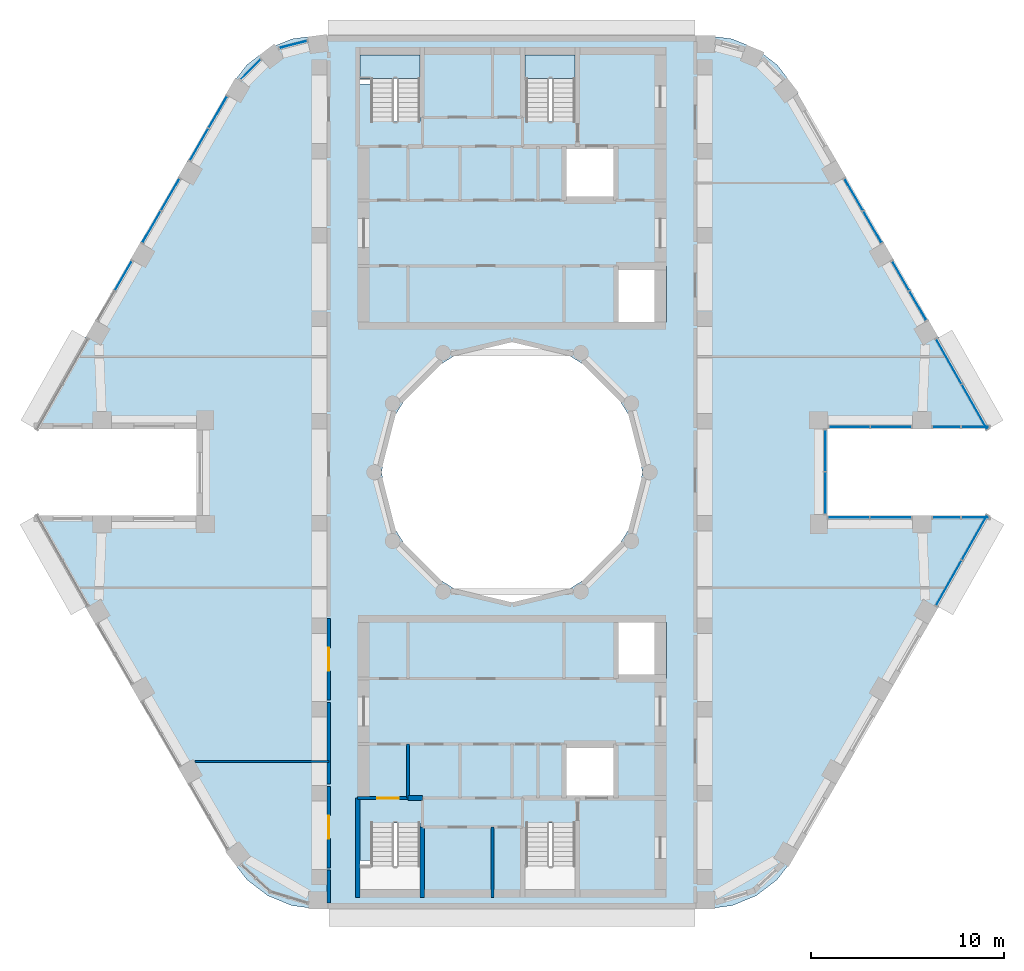
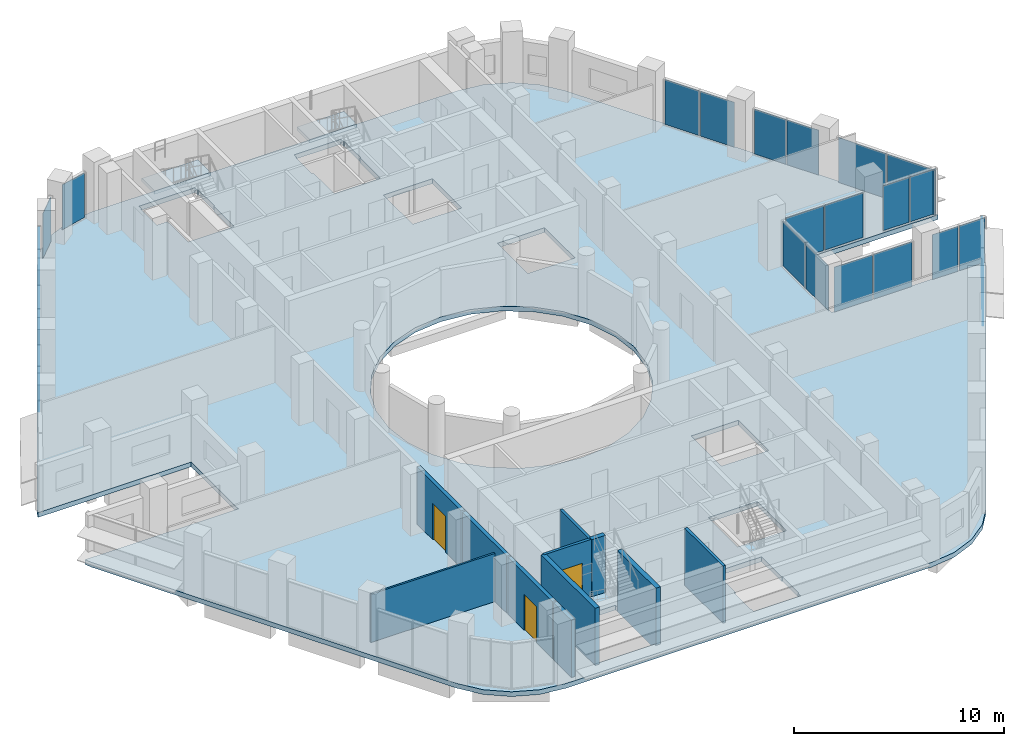
# One storey, part 9 of 16: 25 plates, 11 walls, 3 doors, 3 slabs, 3 openings, 16 elements without a shape of their own.
"""IFC4 building model written with IfcOpenShell, lengths in metres."""

from ifc_helpers import new_model, si_unit, direction, frame, frame_2d, origin, origin_2d, place, context, subcontext, project, spatial, polyline, rectangle, outline, extrude, material, layer, layer_set, type_object, element, fill, aggregate, save


model = new_model("IFC4")

# Units and contexts
model_context = context("Model", 3, precision=1e-05, world=origin(), true_north=direction((0.0, 1.0)))
body_context = subcontext(model_context, "Body", "Model", "MODEL_VIEW")
ifc_project = project(units=[si_unit("LENGTHUNIT", "METRE"), si_unit("AREAUNIT", "SQUARE_METRE"), si_unit("VOLUMEUNIT", "CUBIC_METRE"), si_unit("PLANEANGLEUNIT", "RADIAN"), si_unit("MASSUNIT", "GRAM", prefix="KILO")], contexts=[model_context])

# Site, building, storey
site_placement = place(None, origin())
site = spatial("IfcSite", under=ifc_project, at=site_placement, CompositionType="ELEMENT")
building_placement = place(site_placement, origin())
building = spatial("IfcBuilding", under=site, at=building_placement, Name="Nakaniwa Court", CompositionType="ELEMENT")
storey_placement = place(building_placement, frame((0.0, 0.0, 272.39990234375)))
storey = spatial("IfcBuildingStorey", under=building, at=storey_placement, Name="C01", CompositionType="ELEMENT", Elevation=272.39990234375)

# Slab
ifc_material_1 = material(Name="Concrete C80/100", Category="concrete")
ifc_layer_1 = layer(ifc_material_1, 0.27490234375)
ifc_layer_set_1 = layer_set([ifc_layer_1], Name="Concrete C80/100")
slab_type_1 = type_object("IfcSlabType", Name="Concrete C80/100 post tensioned floor slab 275", PredefinedType="FLOOR", material=ifc_layer_set_1)
slab_1_placement = place(storey_placement, frame((0.0, 0.0, -0.27490234375)))
element("IfcSlab", 1, at=slab_1_placement, inside=storey, type_object=slab_type_1, Name="FLOOR SLAB", PredefinedType="FLOOR", context=body_context, shape_type="SweptSolid", body=[
    extrude(outline(polyline([(96.349609375, 82.25), (104.7978515625, 82.25), (104.65283203125, 82.60009765625), (94.578125, 100.050048828125), (93.751708984375, 101.126953125), (92.6748046875, 101.953369140625), (91.420654296875, 102.472900390625), (90.07470703125, 102.64990234375), (69.92529296875, 102.64990234375), (68.579345703125, 102.472900390625), (67.3251953125, 101.953369140625), (66.248291015625, 101.126953125), (65.421875, 100.050048828125), (55.34716796875, 82.60009765625), (55.2021484375, 82.25), (63.650390625, 82.25), (63.650390625, 77.75), (55.2021484375, 77.75), (55.34716796875, 77.39990234375), (65.421875, 59.949951171875), (66.248291015625, 58.873046875), (67.3251953125, 58.046630859375), (68.579345703125, 57.527099609375), (69.92529296875, 57.35009765625), (90.07470703125, 57.35009765625), (91.420654296875, 57.527099609375), (92.6748046875, 58.046630859375), (93.751708984375, 58.873046875), (94.578125, 59.949951171875), (104.65283203125, 77.39990234375), (104.7978515625, 77.75), (96.349609375, 77.75), (96.349609375, 82.25)]), holes=[polyline([(81.501953125, 86.580810546875), (80.0, 86.75), (78.498046875, 86.580810546875), (77.0712890625, 86.08154296875), (75.79150390625, 85.27734375), (74.72265625, 84.20849609375), (73.91845703125, 82.9287109375), (73.419189453125, 81.501953125), (73.25, 80.0), (73.419189453125, 78.498046875), (73.91845703125, 77.0712890625), (74.72265625, 75.79150390625), (75.79150390625, 74.72265625), (77.0712890625, 73.91845703125), (78.498046875, 73.419189453125), (80.0, 73.25), (81.501953125, 73.419189453125), (82.9287109375, 73.91845703125), (84.20849609375, 74.72265625), (85.27734375, 75.79150390625), (86.08154296875, 77.0712890625), (86.580810546875, 78.498046875), (86.75, 80.0), (86.580810546875, 81.501953125), (86.08154296875, 82.9287109375), (85.27734375, 84.20849609375), (84.20849609375, 85.27734375), (82.9287109375, 86.08154296875), (81.501953125, 86.580810546875)]), polyline([(72.675048828125, 61.81005859375), (72.675048828125, 59.864990234375), (72.0849609375, 59.864990234375), (72.0849609375, 58.31005859375), (72.125, 58.31005859375), (72.125, 58.074951171875), (75.22509765625, 58.074951171875), (75.22509765625, 58.31005859375), (75.264892578125, 58.31005859375), (75.264892578125, 59.864990234375), (75.22509765625, 59.864990234375), (75.22509765625, 61.81005859375), (72.675048828125, 61.81005859375)]), polyline([(83.27490234375, 61.81005859375), (80.72509765625, 61.81005859375), (80.72509765625, 59.864990234375), (80.635009765625, 59.864990234375), (80.635009765625, 58.31005859375), (80.675048828125, 58.31005859375), (80.675048828125, 58.074951171875), (83.27490234375, 58.074951171875), (83.27490234375, 58.31005859375), (83.31494140625, 58.31005859375), (83.31494140625, 59.864990234375), (83.27490234375, 59.864990234375), (83.27490234375, 61.81005859375)]), polyline([(75.264892578125, 101.68994140625), (75.22509765625, 101.68994140625), (75.22509765625, 101.925048828125), (72.125, 101.925048828125), (72.125, 101.68994140625), (72.0849609375, 101.68994140625), (72.0849609375, 100.135009765625), (72.675048828125, 100.135009765625), (72.675048828125, 98.18994140625), (75.22509765625, 98.18994140625), (75.22509765625, 100.135009765625), (75.264892578125, 100.135009765625), (75.264892578125, 101.68994140625)]), polyline([(83.31494140625, 100.135009765625), (83.31494140625, 101.68994140625), (83.27490234375, 101.68994140625), (83.27490234375, 101.925048828125), (80.675048828125, 101.925048828125), (80.675048828125, 101.68994140625), (80.635009765625, 101.68994140625), (80.635009765625, 100.135009765625), (80.72509765625, 100.135009765625), (80.72509765625, 98.18994140625), (83.27490234375, 98.18994140625), (83.27490234375, 100.135009765625), (83.31494140625, 100.135009765625)]), polyline([(85.39990234375, 65.89990234375), (82.699951171875, 65.89990234375), (82.699951171875, 63.10009765625), (85.39990234375, 63.10009765625), (85.39990234375, 65.89990234375)]), polyline([(88.0, 72.199951171875), (85.39990234375, 72.199951171875), (85.39990234375, 69.300048828125), (88.0, 69.300048828125), (88.0, 72.199951171875)]), polyline([(85.39990234375, 90.699951171875), (85.39990234375, 87.800048828125), (88.0, 87.800048828125), (88.0, 90.699951171875), (85.39990234375, 90.699951171875)]), polyline([(85.39990234375, 96.89990234375), (82.699951171875, 96.89990234375), (82.699951171875, 94.10009765625), (85.39990234375, 94.10009765625), (85.39990234375, 96.89990234375)])]), origin(), (0.0, 0.0, 1.0), 0.27490234375),
])

# Curtain wall, plates
ifc_material_2 = material(Name="Black anodised aluminium frame with dark low-E laminated double glazing", Category="aluminium")
ifc_layer_2 = layer(ifc_material_2, 0.199951171875)
ifc_layer_set_2 = layer_set([ifc_layer_2], Name="Black anodised aluminium frame with dark low-E laminated double glazing")
curtain_wall_type = type_object("IfcCurtainWallType", Name="Crown curtain wall", PredefinedType="NOTDEFINED", material=ifc_layer_set_2)
curtain_wall_1_placement = place(storey_placement, origin())
curtain_wall_1 = element("IfcCurtainWall", 2, at=curtain_wall_1_placement, inside=storey, type_object=curtain_wall_type, Name="C01 curtain wall CW4 00", PredefinedType="NOTDEFINED")
ifc_material_3 = material(Name="Dark toughened glass", Category="glass")
ifc_layer_3 = layer(ifc_material_3, 0.007, Name="Outer pane")
ifc_material_4 = material(Name="Argon filled cavity")
ifc_layer_4 = layer(ifc_material_4, 0.016, Name="Cavity")
ifc_material_5 = material(Name="Dark laminated safety glass", Category="glass")
ifc_layer_5 = layer(ifc_material_5, 0.007, Name="Inner pane")
ifc_layer_set_3 = layer_set([ifc_layer_3, ifc_layer_4, ifc_layer_5], Name="Dark low-E laminated double glazing")
plate_type = type_object("IfcPlateType", Name="Crown curtain wall glass panel", PredefinedType="CURTAIN_PANEL", material=ifc_layer_set_3)
plate_1_placement = place(storey_placement, frame((97.5048828125, 82.35009765625, 0.05517578125), z_axis=(0.0, 0.0, 1.0), x_axis=(1.0, 0.0, 0.0)))
plate_1 = element("IfcPlate", 3, at=plate_1_placement, type_object=plate_type, Name="CW4 panel 1.1", PredefinedType="CURTAIN_PANEL", context=body_context, shape_type="SweptSolid", body=[
    extrude(rectangle(XDim=2.0888671875, YDim=0.030029296875, at=origin_2d()), origin(), (0.0, 0.0, 1.0), 2.614990234375),
])
plate_2_placement = place(storey_placement, frame((99.65869140625, 82.35009765625, 0.05517578125), z_axis=(0.0, 0.0, 1.0), x_axis=(1.0, 0.0, 0.0)))
plate_2 = element("IfcPlate", 4, at=plate_2_placement, type_object=plate_type, Name="CW4 panel 2.1", PredefinedType="CURTAIN_PANEL", context=body_context, shape_type="SweptSolid", body=[
    extrude(rectangle(XDim=2.0888671875, YDim=0.030029296875, at=origin_2d()), origin(), (0.0, 0.0, 1.0), 2.614990234375),
])
aggregate(curtain_wall_1, [plate_1, plate_2])

curtain_wall_2_placement = place(storey_placement, origin())
curtain_wall_2 = element("IfcCurtainWall", 5, at=curtain_wall_2_placement, inside=storey, type_object=curtain_wall_type, Name="C01 curtain wall CW4 01", PredefinedType="NOTDEFINED")
plate_3_placement = place(storey_placement, frame((102.53564453125, 82.35009765625, 0.05517578125), z_axis=(0.0, 0.0, 1.0), x_axis=(1.0, 0.0, 0.0)))
plate_3 = element("IfcPlate", 6, at=plate_3_placement, type_object=plate_type, Name="CW4 panel 1.1", PredefinedType="CURTAIN_PANEL", context=body_context, shape_type="SweptSolid", body=[
    extrude(rectangle(XDim=1.42138671875, YDim=0.030029296875, at=origin_2d()), origin(), (0.0, 0.0, 1.0), 2.614990234375),
])
plate_4_placement = place(storey_placement, frame((104.022216796875, 82.35009765625, 0.05517578125), z_axis=(0.0, 0.0, 1.0), x_axis=(1.0, 0.0, 0.0)))
plate_4 = element("IfcPlate", 7, at=plate_4_placement, type_object=plate_type, Name="CW4 panel 2.1", PredefinedType="CURTAIN_PANEL", context=body_context, shape_type="SweptSolid", body=[
    extrude(rectangle(XDim=1.42138671875, YDim=0.030029296875, at=origin_2d()), origin(), (0.0, 0.0, 1.0), 2.614990234375),
])
aggregate(curtain_wall_2, [plate_3, plate_4])

curtain_wall_3_placement = place(storey_placement, origin())
curtain_wall_3 = element("IfcCurtainWall", 8, at=curtain_wall_3_placement, inside=storey, type_object=curtain_wall_type, Name="C01 curtain wall CW4 02", PredefinedType="NOTDEFINED")
plate_5_placement = place(storey_placement, frame((103.987548828125, 83.38623046875, 0.05517578125), z_axis=(0.0, 0.0, 1.0), x_axis=(-0.492176765953, 0.870495279169, 0.0)))
plate_5 = element("IfcPlate", 9, at=plate_5_placement, type_object=plate_type, Name="CW4 panel 1.1", PredefinedType="CURTAIN_PANEL", context=body_context, shape_type="SweptSolid", body=[
    extrude(rectangle(XDim=2.645751953125, YDim=0.030029296875, at=origin_2d()), origin(), (0.0, 0.0, 1.0), 2.614990234375),
])
plate_6_placement = place(storey_placement, frame((102.6533203125, 85.74609375, 0.05517578125), z_axis=(0.0, 0.0, 1.0), x_axis=(-0.492176765953, 0.870495279169, 0.0)))
plate_6 = element("IfcPlate", 10, at=plate_6_placement, type_object=plate_type, Name="CW4 panel 2.1", PredefinedType="CURTAIN_PANEL", context=body_context, shape_type="SweptSolid", body=[
    extrude(rectangle(XDim=2.645751953125, YDim=0.030029296875, at=origin_2d()), origin(), (0.0, 0.0, 1.0), 2.614990234375),
])
aggregate(curtain_wall_3, [plate_5, plate_6])

curtain_wall_4_placement = place(storey_placement, origin())
curtain_wall_4 = element("IfcCurtainWall", 11, at=curtain_wall_4_placement, inside=storey, type_object=curtain_wall_type, Name="C01 curtain wall CW4 03", PredefinedType="NOTDEFINED")
plate_7_placement = place(storey_placement, frame((101.050048828125, 88.640380859375, 0.05517578125), z_axis=(0.0, 0.0, 1.0), x_axis=(-0.49998749164, 0.866032625369, 0.0)))
plate_7 = element("IfcPlate", 12, at=plate_7_placement, type_object=plate_type, Name="CW4 panel 1.1", PredefinedType="CURTAIN_PANEL", context=body_context, shape_type="SweptSolid", body=[
    extrude(rectangle(XDim=1.72607421875, YDim=0.030029296875, at=origin_2d()), origin(), (0.0, 0.0, 1.0), 2.614990234375),
])
plate_8_placement = place(storey_placement, frame((100.154541015625, 90.19140625, 0.05517578125), z_axis=(0.0, 0.0, 1.0), x_axis=(-0.49998749164, 0.866032625369, 0.0)))
plate_8 = element("IfcPlate", 13, at=plate_8_placement, type_object=plate_type, Name="CW4 panel 2.1", PredefinedType="CURTAIN_PANEL", context=body_context, shape_type="SweptSolid", body=[
    extrude(rectangle(XDim=1.72607421875, YDim=0.030029296875, at=origin_2d()), origin(), (0.0, 0.0, 1.0), 2.614990234375),
])
aggregate(curtain_wall_4, [plate_7, plate_8])

curtain_wall_5_placement = place(storey_placement, origin())
curtain_wall_5 = element("IfcCurtainWall", 14, at=curtain_wall_5_placement, inside=storey, type_object=curtain_wall_type, Name="C01 curtain wall CW4 04", PredefinedType="NOTDEFINED")
plate_9_placement = place(storey_placement, frame((98.693359375, 92.722412109375, 0.05517578125), z_axis=(0.0, 0.0, 1.0), x_axis=(-0.500016533491, 0.866015857958, 0.0)))
plate_9 = element("IfcPlate", 15, at=plate_9_placement, type_object=plate_type, Name="CW4 panel 1.1", PredefinedType="CURTAIN_PANEL", context=body_context, shape_type="SweptSolid", body=[
    extrude(rectangle(XDim=1.874755859375, YDim=0.030029296875, at=origin_2d()), origin(), (0.0, 0.0, 1.0), 2.614990234375),
])
plate_10_placement = place(storey_placement, frame((97.723388671875, 94.402099609375, 0.05517578125), z_axis=(0.0, 0.0, 1.0), x_axis=(-0.500016533491, 0.866015857958, 0.0)))
plate_10 = element("IfcPlate", 16, at=plate_10_placement, type_object=plate_type, Name="CW4 panel 2.1", PredefinedType="CURTAIN_PANEL", context=body_context, shape_type="SweptSolid", body=[
    extrude(rectangle(XDim=1.874755859375, YDim=0.030029296875, at=origin_2d()), origin(), (0.0, 0.0, 1.0), 2.614990234375),
])
aggregate(curtain_wall_5, [plate_9, plate_10])

# Curtain wall, plate
curtain_wall_6_placement = place(storey_placement, origin())
curtain_wall_6 = element("IfcCurtainWall", 17, at=curtain_wall_6_placement, inside=storey, type_object=curtain_wall_type, Name="C01 curtain wall CW4 09", PredefinedType="NOTDEFINED")
plate_11_placement = place(storey_placement, frame((68.650390625, 102.18359375, 0.05517578125), z_axis=(0.0, 0.0, 1.0), x_axis=(-0.968746424222, -0.248053150669, 0.0)))
plate_11 = element("IfcPlate", 18, at=plate_11_placement, type_object=plate_type, Name="CW4 panel 1.1", PredefinedType="CURTAIN_PANEL", context=body_context, shape_type="SweptSolid", body=[
    extrude(rectangle(XDim=1.468017578125, YDim=0.030029296875, at=origin_2d()), origin(), (0.0, 0.0, 1.0), 2.614990234375),
])
aggregate(curtain_wall_6, [plate_11])

curtain_wall_7_placement = place(storey_placement, origin())
curtain_wall_7 = element("IfcCurtainWall", 19, at=curtain_wall_7_placement, inside=storey, type_object=curtain_wall_type, Name="C01 curtain wall CW4 10", PredefinedType="NOTDEFINED")
plate_12_placement = place(storey_placement, frame((66.445068359375, 100.892333984375, 0.05517578125), z_axis=(0.0, 0.0, 1.0), x_axis=(-0.708563227169, -0.705647329126, 0.0)))
plate_12 = element("IfcPlate", 20, at=plate_12_placement, type_object=plate_type, Name="CW4 panel 1.1", PredefinedType="CURTAIN_PANEL", context=body_context, shape_type="SweptSolid", body=[
    extrude(rectangle(XDim=1.447509765625, YDim=0.030029296875, at=origin_2d()), origin(), (0.0, 0.0, 1.0), 2.614990234375),
])
aggregate(curtain_wall_7, [plate_12])

# Curtain wall, plates
curtain_wall_8_placement = place(storey_placement, origin())
curtain_wall_8 = element("IfcCurtainWall", 21, at=curtain_wall_8_placement, inside=storey, type_object=curtain_wall_type, Name="C01 curtain wall CW4 11", PredefinedType="NOTDEFINED")
plate_13_placement = place(storey_placement, frame((64.74462890625, 98.677001953125, 0.05517578125), z_axis=(0.0, 0.0, 1.0), x_axis=(-0.499986540445, -0.866033174523, 0.0)))
plate_13 = element("IfcPlate", 22, at=plate_13_placement, type_object=plate_type, Name="CW4 panel 1.1", PredefinedType="CURTAIN_PANEL", context=body_context, shape_type="SweptSolid", body=[
    extrude(rectangle(XDim=1.874755859375, YDim=0.030029296875, at=origin_2d()), origin(), (0.0, 0.0, 1.0), 2.614990234375),
])
plate_14_placement = place(storey_placement, frame((63.77490234375, 96.9970703125, 0.05517578125), z_axis=(0.0, 0.0, 1.0), x_axis=(-0.499986540445, -0.866033174523, 0.0)))
plate_14 = element("IfcPlate", 23, at=plate_14_placement, type_object=plate_type, Name="CW4 panel 2.1", PredefinedType="CURTAIN_PANEL", context=body_context, shape_type="SweptSolid", body=[
    extrude(rectangle(XDim=1.874755859375, YDim=0.030029296875, at=origin_2d()), origin(), (0.0, 0.0, 1.0), 2.614990234375),
])
aggregate(curtain_wall_8, [plate_13, plate_14])

curtain_wall_9_placement = place(storey_placement, origin())
curtain_wall_9 = element("IfcCurtainWall", 24, at=curtain_wall_9_placement, inside=storey, type_object=curtain_wall_type, Name="C01 curtain wall CW4 12", PredefinedType="NOTDEFINED")
plate_15_placement = place(storey_placement, frame((62.276611328125, 94.402099609375, 0.05517578125), z_axis=(0.0, 0.0, 1.0), x_axis=(-0.500016533491, -0.866015857958, 0.0)))
plate_15 = element("IfcPlate", 25, at=plate_15_placement, type_object=plate_type, Name="CW4 panel 1.1", PredefinedType="CURTAIN_PANEL", context=body_context, shape_type="SweptSolid", body=[
    extrude(rectangle(XDim=1.874755859375, YDim=0.030029296875, at=origin_2d()), origin(), (0.0, 0.0, 1.0), 2.614990234375),
])
plate_16_placement = place(storey_placement, frame((61.306640625, 92.722412109375, 0.05517578125), z_axis=(0.0, 0.0, 1.0), x_axis=(-0.500016533491, -0.866015857958, 0.0)))
plate_16 = element("IfcPlate", 26, at=plate_16_placement, type_object=plate_type, Name="CW4 panel 2.1", PredefinedType="CURTAIN_PANEL", context=body_context, shape_type="SweptSolid", body=[
    extrude(rectangle(XDim=1.874755859375, YDim=0.030029296875, at=origin_2d()), origin(), (0.0, 0.0, 1.0), 2.614990234375),
])
aggregate(curtain_wall_9, [plate_15, plate_16])

# Curtain wall, plate
curtain_wall_10_placement = place(storey_placement, origin())
curtain_wall_10 = element("IfcCurtainWall", 27, at=curtain_wall_10_placement, inside=storey, type_object=curtain_wall_type, Name="C01 curtain wall CW4 13", PredefinedType="NOTDEFINED")
plate_17_placement = place(storey_placement, frame((59.845458984375, 90.19140625, 0.05517578125), z_axis=(0.0, 0.0, 1.0), x_axis=(-0.49998749164, -0.866032625369, 0.0)))
plate_17 = element("IfcPlate", 28, at=plate_17_placement, type_object=plate_type, Name="CW4 panel 1.1", PredefinedType="CURTAIN_PANEL", context=body_context, shape_type="SweptSolid", body=[
    extrude(rectangle(XDim=1.72607421875, YDim=0.030029296875, at=origin_2d()), origin(), (0.0, 0.0, 1.0), 2.614990234375),
])
aggregate(curtain_wall_10, [plate_17])

# Curtain wall, plates
curtain_wall_11_placement = place(storey_placement, origin())
curtain_wall_11 = element("IfcCurtainWall", 29, at=curtain_wall_11_placement, inside=storey, type_object=curtain_wall_type, Name="C01 curtain wall CW4 32", PredefinedType="NOTDEFINED")
plate_18_placement = place(storey_placement, frame((102.6533203125, 74.25390625, 0.05517578125), z_axis=(0.0, 0.0, 1.0), x_axis=(0.492176765953, 0.870495279169, 0.0)))
plate_18 = element("IfcPlate", 30, at=plate_18_placement, type_object=plate_type, Name="CW4 panel 1.1", PredefinedType="CURTAIN_PANEL", context=body_context, shape_type="SweptSolid", body=[
    extrude(rectangle(XDim=2.645751953125, YDim=0.030029296875, at=origin_2d()), origin(), (0.0, 0.0, 1.0), 2.614990234375),
])
plate_19_placement = place(storey_placement, frame((103.987548828125, 76.61376953125, 0.05517578125), z_axis=(0.0, 0.0, 1.0), x_axis=(0.492176765953, 0.870495279169, 0.0)))
plate_19 = element("IfcPlate", 31, at=plate_19_placement, type_object=plate_type, Name="CW4 panel 2.1", PredefinedType="CURTAIN_PANEL", context=body_context, shape_type="SweptSolid", body=[
    extrude(rectangle(XDim=2.645751953125, YDim=0.030029296875, at=origin_2d()), origin(), (0.0, 0.0, 1.0), 2.614990234375),
])
aggregate(curtain_wall_11, [plate_18, plate_19])

curtain_wall_12_placement = place(storey_placement, origin())
curtain_wall_12 = element("IfcCurtainWall", 32, at=curtain_wall_12_placement, inside=storey, type_object=curtain_wall_type, Name="C01 curtain wall CW4 33", PredefinedType="NOTDEFINED")
plate_20_placement = place(storey_placement, frame((104.022216796875, 77.64990234375, 0.05517578125), z_axis=(0.0, 0.0, 1.0), x_axis=(-1.0, 0.0, 0.0)))
plate_20 = element("IfcPlate", 33, at=plate_20_placement, type_object=plate_type, Name="CW4 panel 1.1", PredefinedType="CURTAIN_PANEL", context=body_context, shape_type="SweptSolid", body=[
    extrude(rectangle(XDim=1.42138671875, YDim=0.030029296875, at=origin_2d()), origin(), (0.0, 0.0, 1.0), 2.614990234375),
])
plate_21_placement = place(storey_placement, frame((102.53564453125, 77.64990234375, 0.05517578125), z_axis=(0.0, 0.0, 1.0), x_axis=(-1.0, 0.0, 0.0)))
plate_21 = element("IfcPlate", 34, at=plate_21_placement, type_object=plate_type, Name="CW4 panel 2.1", PredefinedType="CURTAIN_PANEL", context=body_context, shape_type="SweptSolid", body=[
    extrude(rectangle(XDim=1.42138671875, YDim=0.030029296875, at=origin_2d()), origin(), (0.0, 0.0, 1.0), 2.614990234375),
])
aggregate(curtain_wall_12, [plate_20, plate_21])

curtain_wall_13_placement = place(storey_placement, origin())
curtain_wall_13 = element("IfcCurtainWall", 35, at=curtain_wall_13_placement, inside=storey, type_object=curtain_wall_type, Name="C01 curtain wall CW4 34", PredefinedType="NOTDEFINED")
plate_22_placement = place(storey_placement, frame((99.646240234375, 77.64990234375, 0.05517578125), z_axis=(0.0, 0.0, 1.0), x_axis=(-1.0, 0.0, 0.0)))
plate_22 = element("IfcPlate", 36, at=plate_22_placement, type_object=plate_type, Name="CW4 panel 1.1", PredefinedType="CURTAIN_PANEL", context=body_context, shape_type="SweptSolid", body=[
    extrude(rectangle(XDim=2.11376953125, YDim=0.030029296875, at=origin_2d()), origin(), (0.0, 0.0, 1.0), 2.614990234375),
])
plate_23_placement = place(storey_placement, frame((97.46728515625, 77.64990234375, 0.05517578125), z_axis=(0.0, 0.0, 1.0), x_axis=(-1.0, 0.0, 0.0)))
plate_23 = element("IfcPlate", 37, at=plate_23_placement, type_object=plate_type, Name="CW4 panel 2.1", PredefinedType="CURTAIN_PANEL", context=body_context, shape_type="SweptSolid", body=[
    extrude(rectangle(XDim=2.11376953125, YDim=0.030029296875, at=origin_2d()), origin(), (0.0, 0.0, 1.0), 2.614990234375),
])
aggregate(curtain_wall_13, [plate_22, plate_23])

curtain_wall_14_placement = place(storey_placement, origin())
curtain_wall_14 = element("IfcCurtainWall", 38, at=curtain_wall_14_placement, inside=storey, type_object=curtain_wall_type, Name="C01 curtain wall CW4 35", PredefinedType="NOTDEFINED")
plate_24_placement = place(storey_placement, frame((96.24951171875, 78.9267578125, 0.05517578125), z_axis=(0.0, 0.0, 1.0), x_axis=(0.0, 1.0, 0.0)))
plate_24 = element("IfcPlate", 39, at=plate_24_placement, type_object=plate_type, Name="CW4 panel 1.1", PredefinedType="CURTAIN_PANEL", context=body_context, shape_type="SweptSolid", body=[
    extrude(rectangle(XDim=2.131591796875, YDim=0.030029296875, at=origin_2d()), origin(), (0.0, 0.0, 1.0), 2.614990234375),
])
plate_25_placement = place(storey_placement, frame((96.24951171875, 81.123291015625, 0.05517578125), z_axis=(0.0, 0.0, 1.0), x_axis=(0.0, 1.0, 0.0)))
plate_25 = element("IfcPlate", 40, at=plate_25_placement, type_object=plate_type, Name="CW4 panel 2.1", PredefinedType="CURTAIN_PANEL", context=body_context, shape_type="SweptSolid", body=[
    extrude(rectangle(XDim=2.131591796875, YDim=0.030029296875, at=origin_2d()), origin(), (0.0, 0.0, 1.0), 2.614990234375),
])
aggregate(curtain_wall_14, [plate_24, plate_25])

# Stair, slab
stair_type = type_object("IfcStairType", Name="Dog leg stair 1200 wide 20 risers", PredefinedType="HALF_TURN_STAIR", material=ifc_material_1)
stair_1_placement = place(storey_placement, origin())
stair_1 = element("IfcStair", 41, at=stair_1_placement, inside=storey, type_object=stair_type, Name="C01 Stair ST1", PredefinedType="HALF_TURN_STAIR")
ifc_layer_6 = layer(ifc_material_1, 0.199951171875)
ifc_layer_set_4 = layer_set([ifc_layer_6], Name="Concrete C80/100")
slab_type_2 = type_object("IfcSlabType", Name="Stair landing concrete", PredefinedType="LANDING", material=ifc_layer_set_4)
slab_2_placement = place(storey_placement, frame((0.0, 0.0, 1.60009765625)))
slab_2 = element("IfcSlab", 42, at=slab_2_placement, type_object=slab_type_2, Name="ST1 landing 1", PredefinedType="LANDING", context=body_context, shape_type="SweptSolid", body=[
    extrude(outline(polyline([(75.22509765625, 100.425048828125), (75.22509765625, 101.64990234375), (72.125, 101.64990234375), (72.125, 100.425048828125), (75.22509765625, 100.425048828125)])), origin(), (0.0, 0.0, 1.0), 0.199951171875),
])
aggregate(stair_1, [slab_2])

stair_2_placement = place(storey_placement, origin())
stair_2 = element("IfcStair", 43, at=stair_2_placement, inside=storey, type_object=stair_type, Name="C01 Stair ST2", PredefinedType="HALF_TURN_STAIR")
slab_3_placement = place(storey_placement, frame((0.0, 0.0, 1.60009765625)))
slab_3 = element("IfcSlab", 44, at=slab_3_placement, type_object=slab_type_2, Name="ST2 landing 1", PredefinedType="LANDING", context=body_context, shape_type="SweptSolid", body=[
    extrude(outline(polyline([(83.27490234375, 100.425048828125), (83.27490234375, 101.64990234375), (80.675048828125, 101.64990234375), (80.675048828125, 100.425048828125), (83.27490234375, 100.425048828125)])), origin(), (0.0, 0.0, 1.0), 0.199951171875),
])
aggregate(stair_2, [slab_3])

# Wall
ifc_material_6 = material(Name="Acoustic double stud partition")
ifc_layer_7 = layer(ifc_material_6, 0.199951171875)
ifc_layer_set_5 = layer_set([ifc_layer_7], Name="Acoustic double stud partition")
wall_type_1 = type_object("IfcWallType", Name="Acoustic double stud partition 200", PredefinedType="PARTITIONING", material=ifc_layer_set_5)
wall_1_placement = place(storey_placement, frame((70.5, 57.64990234375, 0.0), z_axis=(0.0, 0.0, 1.0), x_axis=(0.0, 1.0, 0.0)))
element("IfcWall", 45, at=wall_1_placement, inside=storey, type_object=wall_type_1, Name="Partition PW-073", PredefinedType="PARTITIONING", context=body_context, shape_type="SweptSolid", body=[
    extrude(rectangle(XDim=1.713134765625, YDim=0.199951171875, at=frame_2d((0.8564453125, 0.0))), origin(), (0.0, 0.0, 1.0), 3.3251953125),
])

# Wall, opening, door
wall_2_placement = place(storey_placement, frame((70.5, 59.47705078125, 0.0), z_axis=(0.0, 0.0, 1.0), x_axis=(0.0, 1.0, 0.0)))
wall_2 = element("IfcWall", 46, at=wall_2_placement, inside=storey, type_object=wall_type_1, Name="Partition PW-074", PredefinedType="PARTITIONING", context=body_context, shape_type="SweptSolid", body=[
    extrude(rectangle(XDim=4.23583984375, YDim=0.199951171875, at=frame_2d((2.117919921875, 0.0))), origin(), (0.0, 0.0, 1.0), 3.3251953125),
])
opening_1_placement = place(wall_2_placement, frame((1.51806640625, 0.0, 0.0)))
opening_1 = element("IfcOpeningElement", 47, at=opening_1_placement, cuts=wall_2, Name="Opening D-30-05", PredefinedType="OPENING", context=body_context, shape_type="SweptSolid", body=[
    extrude(rectangle(XDim=1.199951171875, YDim=2.10009765625, at=frame_2d((0.60009765625, 1.050048828125))), frame((0.0, 0.10986328125, 0.0), z_axis=(0.0, -1.0, 0.0), x_axis=(1.0, 0.0, 0.0)), (0.0, 0.0, 1.0), 0.219970703125),
])
ifc_material_7 = material(Name="Solid core timber door set, black veneer", Category="wood")
door_type_1 = type_object("IfcDoorType", Name="Internal door 1200", OperationType="NOTDEFINED", PredefinedType="DOOR", material=ifc_material_7)
door_1_placement = place(opening_1_placement, origin())
door_1 = element("IfcDoor", 48, at=door_1_placement, inside=storey, type_object=door_type_1, Name="Door D-30-05 C01-033", OperationType="SINGLE_SWING_RIGHT", OverallHeight=2.10009765625, OverallWidth=1.199951171875, PredefinedType="DOOR", context=body_context, shape_type="SweptSolid", body=[
    extrude(rectangle(XDim=1.199951171875, YDim=2.10009765625, at=frame_2d((0.60009765625, 1.050048828125))), frame((0.0, 0.02490234375, 0.0), z_axis=(0.0, -1.0, 0.0), x_axis=(1.0, 0.0, 0.0)), (0.0, 0.0, 1.0), 0.050048828125),
])
fill(opening_1, door_1)

# Wall
wall_3_placement = place(storey_placement, frame((70.5, 63.826904296875, 0.0), z_axis=(0.0, 0.0, 1.0), x_axis=(0.0, 1.0, 0.0)))
element("IfcWall", 49, at=wall_3_placement, inside=storey, type_object=wall_type_1, Name="Partition PW-075", PredefinedType="PARTITIONING", context=body_context, shape_type="SweptSolid", body=[
    extrude(rectangle(XDim=4.236083984375, YDim=0.199951171875, at=frame_2d((2.1181640625, 0.0))), origin(), (0.0, 0.0, 1.0), 3.3251953125),
])

# Wall, opening, door
wall_4_placement = place(storey_placement, frame((70.5, 68.177001953125, 0.0), z_axis=(0.0, 0.0, 1.0), x_axis=(0.0, 1.0, 0.0)))
wall_4 = element("IfcWall", 50, at=wall_4_placement, inside=storey, type_object=wall_type_1, Name="Partition PW-076", PredefinedType="PARTITIONING", context=body_context, shape_type="SweptSolid", body=[
    extrude(rectangle(XDim=4.236083984375, YDim=0.199951171875, at=frame_2d((2.1181640625, 0.0))), origin(), (0.0, 0.0, 1.0), 3.3251953125),
])
opening_2_placement = place(wall_4_placement, frame((1.51806640625, 0.0, 0.0)))
opening_2 = element("IfcOpeningElement", 51, at=opening_2_placement, cuts=wall_4, Name="Opening D-30-06", PredefinedType="OPENING", context=body_context, shape_type="SweptSolid", body=[
    extrude(rectangle(XDim=1.199951171875, YDim=2.10009765625, at=frame_2d((0.60009765625, 1.050048828125))), frame((0.0, 0.10986328125, 0.0), z_axis=(0.0, -1.0, 0.0), x_axis=(1.0, 0.0, 0.0)), (0.0, 0.0, 1.0), 0.219970703125),
])
door_2_placement = place(opening_2_placement, origin())
door_2 = element("IfcDoor", 52, at=door_2_placement, inside=storey, type_object=door_type_1, Name="Door D-30-06 C01-034", OperationType="SINGLE_SWING_LEFT", OverallHeight=2.10009765625, OverallWidth=1.199951171875, PredefinedType="DOOR", context=body_context, shape_type="SweptSolid", body=[
    extrude(rectangle(XDim=1.199951171875, YDim=2.10009765625, at=frame_2d((0.60009765625, 1.050048828125))), frame((0.0, 0.02490234375, 0.0), z_axis=(0.0, -1.0, 0.0), x_axis=(1.0, 0.0, 0.0)), (0.0, 0.0, 1.0), 0.050048828125),
])
fill(opening_2, door_2)

# Walls
ifc_material_8 = material(Name="Blockwork partition", Category="masonry")
ifc_layer_8 = layer(ifc_material_8, 0.14990234375)
ifc_layer_set_6 = layer_set([ifc_layer_8], Name="Blockwork partition")
wall_type_2 = type_object("IfcWallType", Name="Blockwork partition 150", PredefinedType="PARTITIONING", material=ifc_layer_set_6)
wall_5_placement = place(storey_placement, frame((74.60009765625, 63.10009765625, 0.0), z_axis=(0.0, 0.0, 1.0), x_axis=(0.0, 1.0, 0.0)))
element("IfcWall", 53, at=wall_5_placement, inside=storey, type_object=wall_type_2, Name="Partition PW-029", PredefinedType="PARTITIONING", context=body_context, shape_type="SweptSolid", body=[
    extrude(rectangle(XDim=2.7998046875, YDim=0.14990234375, at=frame_2d((1.39990234375, 0.0))), origin(), (0.0, 0.0, 1.0), 3.3251953125),
])
wall_6_placement = place(storey_placement, frame((78.989990234375, 57.949951171875, 0.0), z_axis=(0.0, 0.0, 1.0), x_axis=(0.0, 1.0, 0.0)))
element("IfcWall", 54, at=wall_6_placement, inside=storey, type_object=wall_type_2, Name="Partition PW-056", PredefinedType="PARTITIONING", context=body_context, shape_type="SweptSolid", body=[
    extrude(rectangle(XDim=3.650146484375, YDim=0.14990234375, at=frame_2d((1.8251953125, 0.0))), origin(), (0.0, 0.0, 1.0), 3.3251953125),
])

# Wall, opening, door
ifc_layer_9 = layer(ifc_material_1, 0.14990234375)
ifc_layer_set_7 = layer_set([ifc_layer_9], Name="Concrete C80/100")
wall_type_3 = type_object("IfcWallType", Name="Concrete core wall 150 C80", PredefinedType="SHEAR", material=ifc_layer_set_7)
wall_7_placement = place(storey_placement, frame((72.0, 63.10009765625, -0.27490234375), z_axis=(0.0, 0.0, 1.0), x_axis=(1.0, 0.0, 0.0)))
wall_7 = element("IfcWall", 55, at=wall_7_placement, inside=storey, type_object=wall_type_3, Name="Core wall SW-41", PredefinedType="SHEAR", context=body_context, shape_type="SweptSolid", body=[
    extrude(rectangle(XDim=2.60009765625, YDim=0.14990234375, at=frame_2d((1.300048828125, 0.0))), origin(), (0.0, 0.0, 1.0), 3.60009765625),
])
opening_3_placement = place(wall_7_placement, frame((1.02001953125, 0.0, 0.27490234375)))
opening_3 = element("IfcOpeningElement", 56, at=opening_3_placement, cuts=wall_7, Name="Opening D-09-02", PredefinedType="OPENING", context=body_context, shape_type="SweptSolid", body=[
    extrude(rectangle(XDim=1.10009765625, YDim=2.10009765625, at=frame_2d((0.550048828125, 1.050048828125))), frame((0.0, 0.0849609375, 0.0), z_axis=(0.0, -1.0, 0.0), x_axis=(1.0, 0.0, 0.0)), (0.0, 0.0, 1.0), 0.169921875),
])
ifc_material_9 = material(Name="Fire rated steel door set", Category="steel")
door_type_2 = type_object("IfcDoorType", Name="Stair door 1100", OperationType="NOTDEFINED", PredefinedType="DOOR", material=ifc_material_9)
door_3_placement = place(opening_3_placement, origin())
door_3 = element("IfcDoor", 57, at=door_3_placement, inside=storey, type_object=door_type_2, Name="Door D-09-02 C01-027", OperationType="SINGLE_SWING_LEFT", OverallHeight=2.10009765625, OverallWidth=1.10009765625, PredefinedType="DOOR", context=body_context, shape_type="SweptSolid", body=[
    extrude(rectangle(XDim=1.10009765625, YDim=2.10009765625, at=frame_2d((0.550048828125, 1.050048828125))), frame((0.0, 0.02490234375, 0.0), z_axis=(0.0, -1.0, 0.0), x_axis=(1.0, 0.0, 0.0)), (0.0, 0.0, 1.0), 0.050048828125),
])
fill(opening_3, door_3)

# Walls
ifc_layer_10 = layer(ifc_material_1, 0.25)
ifc_layer_set_8 = layer_set([ifc_layer_10], Name="Concrete C80/100")
wall_type_4 = type_object("IfcWallType", Name="Concrete core wall 250 C80", PredefinedType="SHEAR", material=ifc_layer_set_8)
wall_8_placement = place(storey_placement, frame((72.0, 57.949951171875, -0.27490234375), z_axis=(0.0, 0.0, 1.0), x_axis=(0.0, 1.0, 0.0)))
element("IfcWall", 58, at=wall_8_placement, inside=storey, type_object=wall_type_4, Name="Core wall SW-51", PredefinedType="SHEAR", context=body_context, shape_type="SweptSolid", body=[
    extrude(rectangle(XDim=5.150146484375, YDim=0.25, at=frame_2d((2.5751953125, 0.0))), origin(), (0.0, 0.0, 1.0), 3.60009765625),
])
ifc_layer_11 = layer(ifc_material_1, 0.25)
ifc_layer_set_9 = layer_set([ifc_layer_11], Name="Concrete C80/100")
wall_type_5 = type_object("IfcWallType", Name="Concrete shaft wall 250 C80", PredefinedType="SHEAR", material=ifc_layer_set_9)
wall_9_placement = place(storey_placement, frame((74.60009765625, 63.10009765625, -0.27490234375), z_axis=(0.0, 0.0, 1.0), x_axis=(1.0, 0.0, 0.0)))
element("IfcWall", 59, at=wall_9_placement, inside=storey, type_object=wall_type_5, Name="Core wall SW-43", PredefinedType="SHEAR", context=body_context, shape_type="SweptSolid", body=[
    extrude(rectangle(XDim=0.7529296875, YDim=0.25, at=frame_2d((0.37646484375, 0.0))), origin(), (0.0, 0.0, 1.0), 3.60009765625),
])
wall_10_placement = place(storey_placement, frame((75.35009765625, 57.949951171875, -0.27490234375), z_axis=(0.0, 0.0, 1.0), x_axis=(0.0, 1.0, 0.0)))
element("IfcWall", 60, at=wall_10_placement, inside=storey, type_object=wall_type_5, Name="Core wall SW-50", PredefinedType="SHEAR", context=body_context, shape_type="SweptSolid", body=[
    extrude(rectangle(XDim=3.653076171875, YDim=0.25, at=frame_2d((1.82666015625, 0.0))), origin(), (0.0, 0.0, 1.0), 3.60009765625),
])
ifc_material_10 = material(Name="Single stud plasterboard partition")
ifc_layer_12 = layer(ifc_material_10, 0.10009765625)
ifc_layer_set_10 = layer_set([ifc_layer_12], Name="Single stud plasterboard partition")
wall_type_6 = type_object("IfcWallType", Name="Single stud plasterboard partition 100", PredefinedType="PARTITIONING", material=ifc_layer_set_10)
wall_11_placement = place(storey_placement, frame((63.568603515625, 65.0, 0.0), z_axis=(0.0, 0.0, 1.0), x_axis=(1.0, 0.0, 0.0)))
element("IfcWall", 61, at=wall_11_placement, inside=storey, type_object=wall_type_6, Name="Partition PW-084", PredefinedType="PARTITIONING", context=body_context, shape_type="SweptSolid", body=[
    extrude(rectangle(XDim=6.931396484375, YDim=0.10009765625, at=frame_2d((3.4658203125, 0.0))), origin(), (0.0, 0.0, 1.0), 2.80517578125),
])

save(model, "model.ifc")
